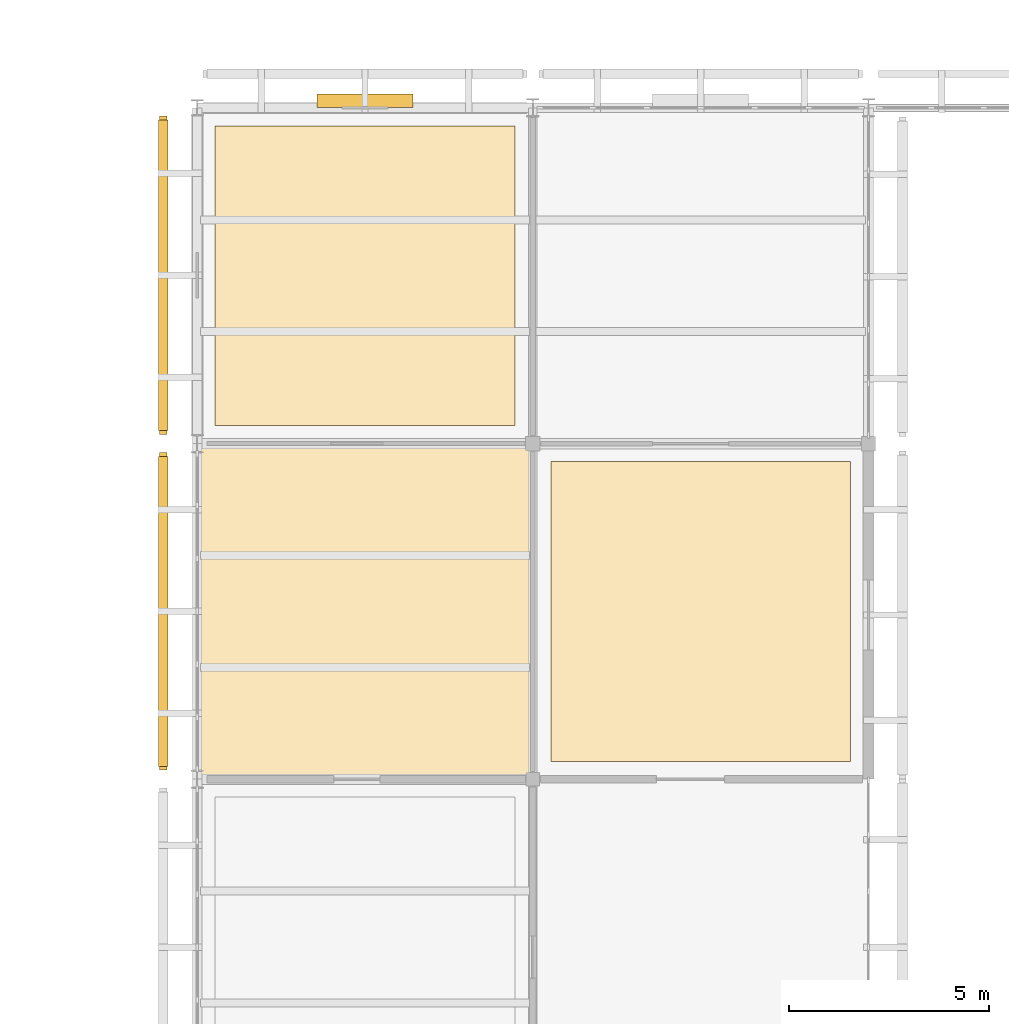
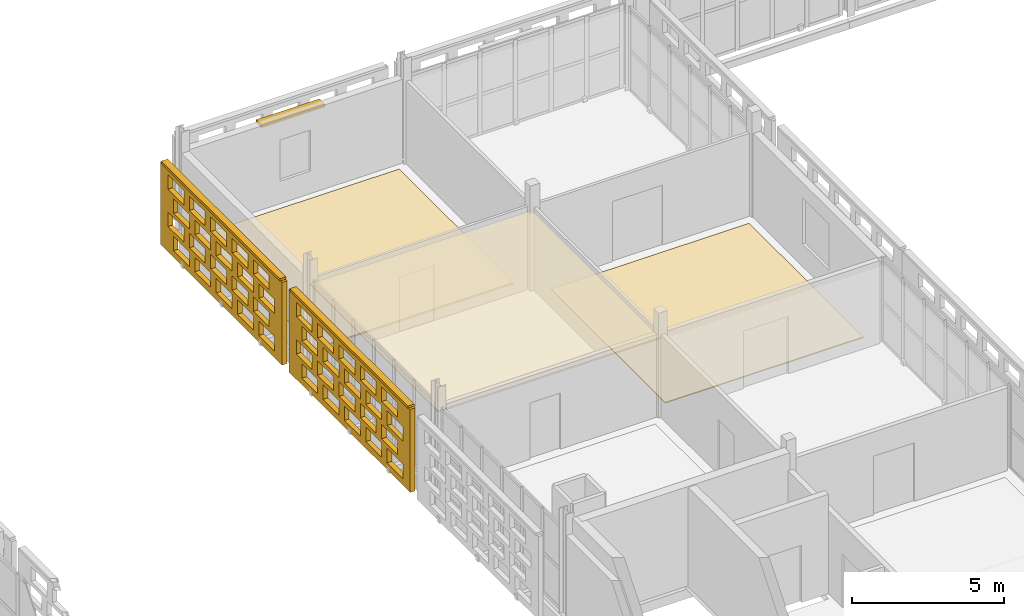
# One storey, part 117 of 140: 5 coverings, 3 shading devices, 40 openings.
"""IFC4 building model written with IfcOpenShell, lengths in metres."""

from ifc_helpers import new_model, si_unit, direction, frame, frame_2d, origin, origin_2d, place, context, subcontext, project, spatial, rectangle, extrude, material, layer, layer_set, type_object, element, save


model = new_model("IFC4")

# Units and contexts
model_context = context("Model", 3, precision=1e-05, world=origin(), true_north=direction((0.0, 1.0)))
body_context = subcontext(model_context, "Body", "Model", "MODEL_VIEW")
ifc_project = project(units=[si_unit("LENGTHUNIT", "METRE"), si_unit("AREAUNIT", "SQUARE_METRE"), si_unit("VOLUMEUNIT", "CUBIC_METRE"), si_unit("PLANEANGLEUNIT", "RADIAN"), si_unit("MASSUNIT", "GRAM", prefix="KILO")], contexts=[model_context])

# Site, building, storey
site_placement = place(None, origin())
site = spatial("IfcSite", under=ifc_project, at=site_placement, CompositionType="ELEMENT")
building_placement = place(site_placement, origin())
building = spatial("IfcBuilding", under=site, at=building_placement, Name="Varnapada Polytechnic", CompositionType="ELEMENT")
storey_placement = place(building_placement, frame((0.0, 0.0, 13.800048828125)))
storey = spatial("IfcBuildingStorey", under=building, at=storey_placement, Name="L03", CompositionType="ELEMENT", Elevation=13.800048828125)

# Coverings
ifc_material_1 = material(Name="Anti-Static Raised Laboratory Flooring")
ifc_layer_1 = layer(ifc_material_1, 0.06005859375)
ifc_layer_set_1 = layer_set([ifc_layer_1], Name="Anti-Static Raised Laboratory Flooring")
covering_type_1 = type_object("IfcCoveringType", Name="Floor Finish FLR-02", PredefinedType="FLOORING", material=ifc_layer_set_1)
covering_1_placement = place(storey_placement, frame((54.60009765625, 121.800048828125, 0.0), z_axis=(0.0, 0.0, 1.0), x_axis=(1.0, 0.0, 0.0)))
element("IfcCovering", 1, at=covering_1_placement, inside=storey, type_object=covering_type_1, Name="L03 floor finish panel (7,15)", PredefinedType="FLOORING", context=body_context, shape_type="SweptSolid", body=[
    extrude(rectangle(XDim=7.5, YDim=7.5, at=origin_2d()), origin(), (0.0, 0.0, 1.0), 0.06005859375),
])
ifc_material_2 = material(Name="Acoustic Rubber Seminar Flooring")
ifc_layer_2 = layer(ifc_material_2, 0.0400390625)
ifc_layer_set_2 = layer_set([ifc_layer_2], Name="Acoustic Rubber Seminar Flooring")
covering_type_2 = type_object("IfcCoveringType", Name="Floor Finish FLR-06", PredefinedType="FLOORING", material=ifc_layer_set_2)
covering_2_placement = place(storey_placement, frame((63.0, 113.39990234375, 0.0), z_axis=(0.0, 0.0, 1.0), x_axis=(1.0, 0.0, 0.0)))
element("IfcCovering", 2, at=covering_2_placement, inside=storey, type_object=covering_type_2, Name="L03 floor finish panel (8,14)", PredefinedType="FLOORING", context=body_context, shape_type="SweptSolid", body=[
    extrude(rectangle(XDim=7.5, YDim=7.5, at=origin_2d()), origin(), (0.0, 0.0, 1.0), 0.0400390625),
])

# Shading device
ifc_material_3 = material(Name="Anodised aluminium", Category="aluminium")
ifc_layer_3 = layer(ifc_material_3, 0.35009765625)
ifc_layer_set_3 = layer_set([ifc_layer_3], Name="Anodised aluminium")
shading_device_type_1 = type_object("IfcShadingDeviceType", Name="Solar Louvre LVR-01", PredefinedType="JALOUSIE", material=ifc_layer_set_3)
shading_device_1_placement = place(storey_placement, frame((54.60009765625, 126.179931640625, 3.159912109375), z_axis=(0.0, 0.0, 1.0), x_axis=(1.0, 0.0, 0.0)))
element("IfcShadingDevice", 3, at=shading_device_1_placement, inside=storey, type_object=shading_device_type_1, Name="L03 aluminium sun louvre 46", PredefinedType="JALOUSIE", context=body_context, shape_type="SweptSolid", body=[
    extrude(rectangle(XDim=2.39990234375, YDim=0.340087890625, at=origin_2d()), origin(), (0.0, 0.0, 1.0), 0.1201171875),
])

# Covering
ifc_material_4 = material(Name="Slatted Merbau Timber Acoustic Ceiling", Category="wood")
ifc_layer_4 = layer(ifc_material_4, 0.054931640625)
ifc_layer_set_4 = layer_set([ifc_layer_4], Name="Slatted Merbau Timber Acoustic Ceiling")
covering_type_3 = type_object("IfcCoveringType", Name="Suspended Ceiling CLG-05", PredefinedType="CEILING", material=ifc_layer_set_4)
covering_3_placement = place(storey_placement, frame((54.60009765625, 113.39990234375, 3.0224609375), z_axis=(0.0, 0.0, 1.0), x_axis=(1.0, 0.0, 0.0)))
element("IfcCovering", 4, at=covering_3_placement, inside=storey, type_object=covering_type_3, Name="L03 suspended acoustic ceiling (7,14)", PredefinedType="CEILING", context=body_context, shape_type="SweptSolid", body=[
    extrude(rectangle(XDim=8.419921875, YDim=8.419921875, at=origin_2d()), origin(), (0.0, 0.0, 1.0), 0.054931640625),
])

# Covering, openings
ifc_material_5 = material(Name="Earth-toned architectural terracotta screen block", Category="masonry")
ifc_layer_5 = layer(ifc_material_5, 0.1201171875)
ifc_layer_set_5 = layer_set([ifc_layer_5], Name="Earth-toned architectural terracotta screen block")
covering_type_4 = type_object("IfcCoveringType", Name="Terracotta Screen Cladding CLD-01", PredefinedType="CLADDING", material=ifc_layer_set_5)
covering_4_placement = place(storey_placement, frame((49.550048828125, 109.425048828125, 0.0), z_axis=(0.0, 0.0, 1.0), x_axis=(0.0, 1.0, 0.0)))
covering_4 = element("IfcCovering", 5, at=covering_4_placement, inside=storey, type_object=covering_type_4, Name="L03 perforated terracotta block screen (45)", PredefinedType="CLADDING", context=body_context, shape_type="SweptSolid", body=[
    extrude(rectangle(XDim=7.949951171875, YDim=0.179931640625, at=frame_2d((3.97509765625, 0.0))), origin(), (0.0, 0.0, 1.0), 3.320068359375),
])
opening_1_placement = place(covering_4_placement, frame((0.47509765625, 0.0, 0.265625)))
element("IfcOpeningElement", 6, at=opening_1_placement, cuts=covering_4, Name="Screen perforation TBS-L03-044.1", PredefinedType="OPENING", context=body_context, shape_type="SweptSolid", body=[
    extrude(rectangle(XDim=1.0400390625, YDim=0.5810546875, at=frame_2d((0.52001953125, 0.29052734375))), frame((0.0, 0.099853515625, 0.0), z_axis=(0.0, -1.0, 0.0), x_axis=(1.0, 0.0, 0.0)), (0.0, 0.0, 1.0), 0.199951171875),
])
opening_2_placement = place(covering_4_placement, frame((1.875, 0.0, 0.265625)))
element("IfcOpeningElement", 7, at=opening_2_placement, cuts=covering_4, Name="Screen perforation TBS-L03-044.2", PredefinedType="OPENING", context=body_context, shape_type="SweptSolid", body=[
    extrude(rectangle(XDim=1.0400390625, YDim=0.5810546875, at=frame_2d((0.52001953125, 0.29052734375))), frame((0.0, 0.099853515625, 0.0), z_axis=(0.0, -1.0, 0.0), x_axis=(1.0, 0.0, 0.0)), (0.0, 0.0, 1.0), 0.199951171875),
])
opening_3_placement = place(covering_4_placement, frame((3.27490234375, 0.0, 0.265625)))
element("IfcOpeningElement", 8, at=opening_3_placement, cuts=covering_4, Name="Screen perforation TBS-L03-044.3", PredefinedType="OPENING", context=body_context, shape_type="SweptSolid", body=[
    extrude(rectangle(XDim=1.0400390625, YDim=0.5810546875, at=frame_2d((0.52001953125, 0.29052734375))), frame((0.0, 0.099853515625, 0.0), z_axis=(0.0, -1.0, 0.0), x_axis=(1.0, 0.0, 0.0)), (0.0, 0.0, 1.0), 0.199951171875),
])
opening_4_placement = place(covering_4_placement, frame((4.675048828125, 0.0, 0.265625)))
element("IfcOpeningElement", 9, at=opening_4_placement, cuts=covering_4, Name="Screen perforation TBS-L03-044.4", PredefinedType="OPENING", context=body_context, shape_type="SweptSolid", body=[
    extrude(rectangle(XDim=1.0400390625, YDim=0.5810546875, at=frame_2d((0.52001953125, 0.29052734375))), frame((0.0, 0.099853515625, 0.0), z_axis=(0.0, -1.0, 0.0), x_axis=(1.0, 0.0, 0.0)), (0.0, 0.0, 1.0), 0.199951171875),
])
opening_5_placement = place(covering_4_placement, frame((6.074951171875, 0.0, 0.265625)))
element("IfcOpeningElement", 10, at=opening_5_placement, cuts=covering_4, Name="Screen perforation TBS-L03-044.5", PredefinedType="OPENING", context=body_context, shape_type="SweptSolid", body=[
    extrude(rectangle(XDim=1.0400390625, YDim=0.5810546875, at=frame_2d((0.52001953125, 0.29052734375))), frame((0.0, 0.099853515625, 0.0), z_axis=(0.0, -1.0, 0.0), x_axis=(1.0, 0.0, 0.0)), (0.0, 0.0, 1.0), 0.199951171875),
])
opening_6_placement = place(covering_4_placement, frame((0.8349609375, 0.0, 1.0126953125)))
element("IfcOpeningElement", 11, at=opening_6_placement, cuts=covering_4, Name="Screen perforation TBS-L03-044.6", PredefinedType="OPENING", context=body_context, shape_type="SweptSolid", body=[
    extrude(rectangle(XDim=1.0400390625, YDim=0.5810546875, at=frame_2d((0.52001953125, 0.29052734375))), frame((0.0, 0.099853515625, 0.0), z_axis=(0.0, -1.0, 0.0), x_axis=(1.0, 0.0, 0.0)), (0.0, 0.0, 1.0), 0.199951171875),
])
opening_7_placement = place(covering_4_placement, frame((2.235107421875, 0.0, 1.0126953125)))
element("IfcOpeningElement", 12, at=opening_7_placement, cuts=covering_4, Name="Screen perforation TBS-L03-044.7", PredefinedType="OPENING", context=body_context, shape_type="SweptSolid", body=[
    extrude(rectangle(XDim=1.0400390625, YDim=0.5810546875, at=frame_2d((0.52001953125, 0.29052734375))), frame((0.0, 0.099853515625, 0.0), z_axis=(0.0, -1.0, 0.0), x_axis=(1.0, 0.0, 0.0)), (0.0, 0.0, 1.0), 0.199951171875),
])
opening_8_placement = place(covering_4_placement, frame((3.635009765625, 0.0, 1.0126953125)))
element("IfcOpeningElement", 13, at=opening_8_placement, cuts=covering_4, Name="Screen perforation TBS-L03-044.8", PredefinedType="OPENING", context=body_context, shape_type="SweptSolid", body=[
    extrude(rectangle(XDim=1.0400390625, YDim=0.5810546875, at=frame_2d((0.52001953125, 0.29052734375))), frame((0.0, 0.099853515625, 0.0), z_axis=(0.0, -1.0, 0.0), x_axis=(1.0, 0.0, 0.0)), (0.0, 0.0, 1.0), 0.199951171875),
])
opening_9_placement = place(covering_4_placement, frame((5.034912109375, 0.0, 1.0126953125)))
element("IfcOpeningElement", 14, at=opening_9_placement, cuts=covering_4, Name="Screen perforation TBS-L03-044.9", PredefinedType="OPENING", context=body_context, shape_type="SweptSolid", body=[
    extrude(rectangle(XDim=1.0400390625, YDim=0.5810546875, at=frame_2d((0.52001953125, 0.29052734375))), frame((0.0, 0.099853515625, 0.0), z_axis=(0.0, -1.0, 0.0), x_axis=(1.0, 0.0, 0.0)), (0.0, 0.0, 1.0), 0.199951171875),
])
opening_10_placement = place(covering_4_placement, frame((6.43505859375, 0.0, 1.0126953125)))
element("IfcOpeningElement", 15, at=opening_10_placement, cuts=covering_4, Name="Screen perforation TBS-L03-044.10", PredefinedType="OPENING", context=body_context, shape_type="SweptSolid", body=[
    extrude(rectangle(XDim=1.0400390625, YDim=0.5810546875, at=frame_2d((0.52001953125, 0.29052734375))), frame((0.0, 0.099853515625, 0.0), z_axis=(0.0, -1.0, 0.0), x_axis=(1.0, 0.0, 0.0)), (0.0, 0.0, 1.0), 0.199951171875),
])
opening_11_placement = place(covering_4_placement, frame((0.47509765625, 0.0, 1.759521484375)))
element("IfcOpeningElement", 16, at=opening_11_placement, cuts=covering_4, Name="Screen perforation TBS-L03-044.11", PredefinedType="OPENING", context=body_context, shape_type="SweptSolid", body=[
    extrude(rectangle(XDim=1.0400390625, YDim=0.5810546875, at=frame_2d((0.52001953125, 0.29052734375))), frame((0.0, 0.099853515625, 0.0), z_axis=(0.0, -1.0, 0.0), x_axis=(1.0, 0.0, 0.0)), (0.0, 0.0, 1.0), 0.199951171875),
])
opening_12_placement = place(covering_4_placement, frame((1.875, 0.0, 1.759521484375)))
element("IfcOpeningElement", 17, at=opening_12_placement, cuts=covering_4, Name="Screen perforation TBS-L03-044.12", PredefinedType="OPENING", context=body_context, shape_type="SweptSolid", body=[
    extrude(rectangle(XDim=1.0400390625, YDim=0.5810546875, at=frame_2d((0.52001953125, 0.29052734375))), frame((0.0, 0.099853515625, 0.0), z_axis=(0.0, -1.0, 0.0), x_axis=(1.0, 0.0, 0.0)), (0.0, 0.0, 1.0), 0.199951171875),
])
opening_13_placement = place(covering_4_placement, frame((3.27490234375, 0.0, 1.759521484375)))
element("IfcOpeningElement", 18, at=opening_13_placement, cuts=covering_4, Name="Screen perforation TBS-L03-044.13", PredefinedType="OPENING", context=body_context, shape_type="SweptSolid", body=[
    extrude(rectangle(XDim=1.0400390625, YDim=0.5810546875, at=frame_2d((0.52001953125, 0.29052734375))), frame((0.0, 0.099853515625, 0.0), z_axis=(0.0, -1.0, 0.0), x_axis=(1.0, 0.0, 0.0)), (0.0, 0.0, 1.0), 0.199951171875),
])
opening_14_placement = place(covering_4_placement, frame((4.675048828125, 0.0, 1.759521484375)))
element("IfcOpeningElement", 19, at=opening_14_placement, cuts=covering_4, Name="Screen perforation TBS-L03-044.14", PredefinedType="OPENING", context=body_context, shape_type="SweptSolid", body=[
    extrude(rectangle(XDim=1.0400390625, YDim=0.5810546875, at=frame_2d((0.52001953125, 0.29052734375))), frame((0.0, 0.099853515625, 0.0), z_axis=(0.0, -1.0, 0.0), x_axis=(1.0, 0.0, 0.0)), (0.0, 0.0, 1.0), 0.199951171875),
])
opening_15_placement = place(covering_4_placement, frame((6.074951171875, 0.0, 1.759521484375)))
element("IfcOpeningElement", 20, at=opening_15_placement, cuts=covering_4, Name="Screen perforation TBS-L03-044.15", PredefinedType="OPENING", context=body_context, shape_type="SweptSolid", body=[
    extrude(rectangle(XDim=1.0400390625, YDim=0.5810546875, at=frame_2d((0.52001953125, 0.29052734375))), frame((0.0, 0.099853515625, 0.0), z_axis=(0.0, -1.0, 0.0), x_axis=(1.0, 0.0, 0.0)), (0.0, 0.0, 1.0), 0.199951171875),
])
opening_16_placement = place(covering_4_placement, frame((0.8349609375, 0.0, 2.506591796875)))
element("IfcOpeningElement", 21, at=opening_16_placement, cuts=covering_4, Name="Screen perforation TBS-L03-044.16", PredefinedType="OPENING", context=body_context, shape_type="SweptSolid", body=[
    extrude(rectangle(XDim=1.0400390625, YDim=0.5810546875, at=frame_2d((0.52001953125, 0.29052734375))), frame((0.0, 0.099853515625, 0.0), z_axis=(0.0, -1.0, 0.0), x_axis=(1.0, 0.0, 0.0)), (0.0, 0.0, 1.0), 0.199951171875),
])
opening_17_placement = place(covering_4_placement, frame((2.235107421875, 0.0, 2.506591796875)))
element("IfcOpeningElement", 22, at=opening_17_placement, cuts=covering_4, Name="Screen perforation TBS-L03-044.17", PredefinedType="OPENING", context=body_context, shape_type="SweptSolid", body=[
    extrude(rectangle(XDim=1.0400390625, YDim=0.5810546875, at=frame_2d((0.52001953125, 0.29052734375))), frame((0.0, 0.099853515625, 0.0), z_axis=(0.0, -1.0, 0.0), x_axis=(1.0, 0.0, 0.0)), (0.0, 0.0, 1.0), 0.199951171875),
])
opening_18_placement = place(covering_4_placement, frame((3.635009765625, 0.0, 2.506591796875)))
element("IfcOpeningElement", 23, at=opening_18_placement, cuts=covering_4, Name="Screen perforation TBS-L03-044.18", PredefinedType="OPENING", context=body_context, shape_type="SweptSolid", body=[
    extrude(rectangle(XDim=1.0400390625, YDim=0.5810546875, at=frame_2d((0.52001953125, 0.29052734375))), frame((0.0, 0.099853515625, 0.0), z_axis=(0.0, -1.0, 0.0), x_axis=(1.0, 0.0, 0.0)), (0.0, 0.0, 1.0), 0.199951171875),
])
opening_19_placement = place(covering_4_placement, frame((5.034912109375, 0.0, 2.506591796875)))
element("IfcOpeningElement", 24, at=opening_19_placement, cuts=covering_4, Name="Screen perforation TBS-L03-044.19", PredefinedType="OPENING", context=body_context, shape_type="SweptSolid", body=[
    extrude(rectangle(XDim=1.0400390625, YDim=0.5810546875, at=frame_2d((0.52001953125, 0.29052734375))), frame((0.0, 0.099853515625, 0.0), z_axis=(0.0, -1.0, 0.0), x_axis=(1.0, 0.0, 0.0)), (0.0, 0.0, 1.0), 0.199951171875),
])
opening_20_placement = place(covering_4_placement, frame((6.43505859375, 0.0, 2.506591796875)))
element("IfcOpeningElement", 25, at=opening_20_placement, cuts=covering_4, Name="Screen perforation TBS-L03-044.20", PredefinedType="OPENING", context=body_context, shape_type="SweptSolid", body=[
    extrude(rectangle(XDim=1.0400390625, YDim=0.5810546875, at=frame_2d((0.52001953125, 0.29052734375))), frame((0.0, 0.099853515625, 0.0), z_axis=(0.0, -1.0, 0.0), x_axis=(1.0, 0.0, 0.0)), (0.0, 0.0, 1.0), 0.199951171875),
])

covering_5_placement = place(storey_placement, frame((49.550048828125, 117.824951171875, 0.0), z_axis=(0.0, 0.0, 1.0), x_axis=(0.0, 1.0, 0.0)))
covering_5 = element("IfcCovering", 26, at=covering_5_placement, inside=storey, type_object=covering_type_4, Name="L03 perforated terracotta block screen (47)", PredefinedType="CLADDING", context=body_context, shape_type="SweptSolid", body=[
    extrude(rectangle(XDim=7.97509765625, YDim=0.179931640625, at=frame_2d((3.987548828125, 0.0))), origin(), (0.0, 0.0, 1.0), 3.320068359375),
])
opening_21_placement = place(covering_5_placement, frame((0.487548828125, 0.0, 0.265625)))
element("IfcOpeningElement", 27, at=opening_21_placement, cuts=covering_5, Name="Screen perforation TBS-L03-046.1", PredefinedType="OPENING", context=body_context, shape_type="SweptSolid", body=[
    extrude(rectangle(XDim=1.0400390625, YDim=0.5810546875, at=frame_2d((0.52001953125, 0.29052734375))), frame((0.0, 0.099853515625, 0.0), z_axis=(0.0, -1.0, 0.0), x_axis=(1.0, 0.0, 0.0)), (0.0, 0.0, 1.0), 0.199951171875),
])
opening_22_placement = place(covering_5_placement, frame((1.887451171875, 0.0, 0.265625)))
element("IfcOpeningElement", 28, at=opening_22_placement, cuts=covering_5, Name="Screen perforation TBS-L03-046.2", PredefinedType="OPENING", context=body_context, shape_type="SweptSolid", body=[
    extrude(rectangle(XDim=1.0400390625, YDim=0.5810546875, at=frame_2d((0.52001953125, 0.29052734375))), frame((0.0, 0.099853515625, 0.0), z_axis=(0.0, -1.0, 0.0), x_axis=(1.0, 0.0, 0.0)), (0.0, 0.0, 1.0), 0.199951171875),
])
opening_23_placement = place(covering_5_placement, frame((3.28759765625, 0.0, 0.265625)))
element("IfcOpeningElement", 29, at=opening_23_placement, cuts=covering_5, Name="Screen perforation TBS-L03-046.3", PredefinedType="OPENING", context=body_context, shape_type="SweptSolid", body=[
    extrude(rectangle(XDim=1.0400390625, YDim=0.5810546875, at=frame_2d((0.52001953125, 0.29052734375))), frame((0.0, 0.099853515625, 0.0), z_axis=(0.0, -1.0, 0.0), x_axis=(1.0, 0.0, 0.0)), (0.0, 0.0, 1.0), 0.199951171875),
])
opening_24_placement = place(covering_5_placement, frame((4.6875, 0.0, 0.265625)))
element("IfcOpeningElement", 30, at=opening_24_placement, cuts=covering_5, Name="Screen perforation TBS-L03-046.4", PredefinedType="OPENING", context=body_context, shape_type="SweptSolid", body=[
    extrude(rectangle(XDim=1.0400390625, YDim=0.5810546875, at=frame_2d((0.52001953125, 0.29052734375))), frame((0.0, 0.099853515625, 0.0), z_axis=(0.0, -1.0, 0.0), x_axis=(1.0, 0.0, 0.0)), (0.0, 0.0, 1.0), 0.199951171875),
])
opening_25_placement = place(covering_5_placement, frame((6.08740234375, 0.0, 0.265625)))
element("IfcOpeningElement", 31, at=opening_25_placement, cuts=covering_5, Name="Screen perforation TBS-L03-046.5", PredefinedType="OPENING", context=body_context, shape_type="SweptSolid", body=[
    extrude(rectangle(XDim=1.0400390625, YDim=0.5810546875, at=frame_2d((0.52001953125, 0.29052734375))), frame((0.0, 0.099853515625, 0.0), z_axis=(0.0, -1.0, 0.0), x_axis=(1.0, 0.0, 0.0)), (0.0, 0.0, 1.0), 0.199951171875),
])
opening_26_placement = place(covering_5_placement, frame((0.847412109375, 0.0, 1.0126953125)))
element("IfcOpeningElement", 32, at=opening_26_placement, cuts=covering_5, Name="Screen perforation TBS-L03-046.6", PredefinedType="OPENING", context=body_context, shape_type="SweptSolid", body=[
    extrude(rectangle(XDim=1.0400390625, YDim=0.5810546875, at=frame_2d((0.52001953125, 0.29052734375))), frame((0.0, 0.099853515625, 0.0), z_axis=(0.0, -1.0, 0.0), x_axis=(1.0, 0.0, 0.0)), (0.0, 0.0, 1.0), 0.199951171875),
])
opening_27_placement = place(covering_5_placement, frame((2.24755859375, 0.0, 1.0126953125)))
element("IfcOpeningElement", 33, at=opening_27_placement, cuts=covering_5, Name="Screen perforation TBS-L03-046.7", PredefinedType="OPENING", context=body_context, shape_type="SweptSolid", body=[
    extrude(rectangle(XDim=1.0400390625, YDim=0.5810546875, at=frame_2d((0.52001953125, 0.29052734375))), frame((0.0, 0.099853515625, 0.0), z_axis=(0.0, -1.0, 0.0), x_axis=(1.0, 0.0, 0.0)), (0.0, 0.0, 1.0), 0.199951171875),
])
opening_28_placement = place(covering_5_placement, frame((3.6474609375, 0.0, 1.0126953125)))
element("IfcOpeningElement", 34, at=opening_28_placement, cuts=covering_5, Name="Screen perforation TBS-L03-046.8", PredefinedType="OPENING", context=body_context, shape_type="SweptSolid", body=[
    extrude(rectangle(XDim=1.0400390625, YDim=0.5810546875, at=frame_2d((0.52001953125, 0.29052734375))), frame((0.0, 0.099853515625, 0.0), z_axis=(0.0, -1.0, 0.0), x_axis=(1.0, 0.0, 0.0)), (0.0, 0.0, 1.0), 0.199951171875),
])
opening_29_placement = place(covering_5_placement, frame((5.047607421875, 0.0, 1.0126953125)))
element("IfcOpeningElement", 35, at=opening_29_placement, cuts=covering_5, Name="Screen perforation TBS-L03-046.9", PredefinedType="OPENING", context=body_context, shape_type="SweptSolid", body=[
    extrude(rectangle(XDim=1.0400390625, YDim=0.5810546875, at=frame_2d((0.52001953125, 0.29052734375))), frame((0.0, 0.099853515625, 0.0), z_axis=(0.0, -1.0, 0.0), x_axis=(1.0, 0.0, 0.0)), (0.0, 0.0, 1.0), 0.199951171875),
])
opening_30_placement = place(covering_5_placement, frame((6.447509765625, 0.0, 1.0126953125)))
element("IfcOpeningElement", 36, at=opening_30_placement, cuts=covering_5, Name="Screen perforation TBS-L03-046.10", PredefinedType="OPENING", context=body_context, shape_type="SweptSolid", body=[
    extrude(rectangle(XDim=1.0400390625, YDim=0.5810546875, at=frame_2d((0.52001953125, 0.29052734375))), frame((0.0, 0.099853515625, 0.0), z_axis=(0.0, -1.0, 0.0), x_axis=(1.0, 0.0, 0.0)), (0.0, 0.0, 1.0), 0.199951171875),
])
opening_31_placement = place(covering_5_placement, frame((0.487548828125, 0.0, 1.759521484375)))
element("IfcOpeningElement", 37, at=opening_31_placement, cuts=covering_5, Name="Screen perforation TBS-L03-046.11", PredefinedType="OPENING", context=body_context, shape_type="SweptSolid", body=[
    extrude(rectangle(XDim=1.0400390625, YDim=0.5810546875, at=frame_2d((0.52001953125, 0.29052734375))), frame((0.0, 0.099853515625, 0.0), z_axis=(0.0, -1.0, 0.0), x_axis=(1.0, 0.0, 0.0)), (0.0, 0.0, 1.0), 0.199951171875),
])
opening_32_placement = place(covering_5_placement, frame((1.887451171875, 0.0, 1.759521484375)))
element("IfcOpeningElement", 38, at=opening_32_placement, cuts=covering_5, Name="Screen perforation TBS-L03-046.12", PredefinedType="OPENING", context=body_context, shape_type="SweptSolid", body=[
    extrude(rectangle(XDim=1.0400390625, YDim=0.5810546875, at=frame_2d((0.52001953125, 0.29052734375))), frame((0.0, 0.099853515625, 0.0), z_axis=(0.0, -1.0, 0.0), x_axis=(1.0, 0.0, 0.0)), (0.0, 0.0, 1.0), 0.199951171875),
])
opening_33_placement = place(covering_5_placement, frame((3.28759765625, 0.0, 1.759521484375)))
element("IfcOpeningElement", 39, at=opening_33_placement, cuts=covering_5, Name="Screen perforation TBS-L03-046.13", PredefinedType="OPENING", context=body_context, shape_type="SweptSolid", body=[
    extrude(rectangle(XDim=1.0400390625, YDim=0.5810546875, at=frame_2d((0.52001953125, 0.29052734375))), frame((0.0, 0.099853515625, 0.0), z_axis=(0.0, -1.0, 0.0), x_axis=(1.0, 0.0, 0.0)), (0.0, 0.0, 1.0), 0.199951171875),
])
opening_34_placement = place(covering_5_placement, frame((4.6875, 0.0, 1.759521484375)))
element("IfcOpeningElement", 40, at=opening_34_placement, cuts=covering_5, Name="Screen perforation TBS-L03-046.14", PredefinedType="OPENING", context=body_context, shape_type="SweptSolid", body=[
    extrude(rectangle(XDim=1.0400390625, YDim=0.5810546875, at=frame_2d((0.52001953125, 0.29052734375))), frame((0.0, 0.099853515625, 0.0), z_axis=(0.0, -1.0, 0.0), x_axis=(1.0, 0.0, 0.0)), (0.0, 0.0, 1.0), 0.199951171875),
])
opening_35_placement = place(covering_5_placement, frame((6.08740234375, 0.0, 1.759521484375)))
element("IfcOpeningElement", 41, at=opening_35_placement, cuts=covering_5, Name="Screen perforation TBS-L03-046.15", PredefinedType="OPENING", context=body_context, shape_type="SweptSolid", body=[
    extrude(rectangle(XDim=1.0400390625, YDim=0.5810546875, at=frame_2d((0.52001953125, 0.29052734375))), frame((0.0, 0.099853515625, 0.0), z_axis=(0.0, -1.0, 0.0), x_axis=(1.0, 0.0, 0.0)), (0.0, 0.0, 1.0), 0.199951171875),
])
opening_36_placement = place(covering_5_placement, frame((0.847412109375, 0.0, 2.506591796875)))
element("IfcOpeningElement", 42, at=opening_36_placement, cuts=covering_5, Name="Screen perforation TBS-L03-046.16", PredefinedType="OPENING", context=body_context, shape_type="SweptSolid", body=[
    extrude(rectangle(XDim=1.0400390625, YDim=0.5810546875, at=frame_2d((0.52001953125, 0.29052734375))), frame((0.0, 0.099853515625, 0.0), z_axis=(0.0, -1.0, 0.0), x_axis=(1.0, 0.0, 0.0)), (0.0, 0.0, 1.0), 0.199951171875),
])
opening_37_placement = place(covering_5_placement, frame((2.24755859375, 0.0, 2.506591796875)))
element("IfcOpeningElement", 43, at=opening_37_placement, cuts=covering_5, Name="Screen perforation TBS-L03-046.17", PredefinedType="OPENING", context=body_context, shape_type="SweptSolid", body=[
    extrude(rectangle(XDim=1.0400390625, YDim=0.5810546875, at=frame_2d((0.52001953125, 0.29052734375))), frame((0.0, 0.099853515625, 0.0), z_axis=(0.0, -1.0, 0.0), x_axis=(1.0, 0.0, 0.0)), (0.0, 0.0, 1.0), 0.199951171875),
])
opening_38_placement = place(covering_5_placement, frame((3.6474609375, 0.0, 2.506591796875)))
element("IfcOpeningElement", 44, at=opening_38_placement, cuts=covering_5, Name="Screen perforation TBS-L03-046.18", PredefinedType="OPENING", context=body_context, shape_type="SweptSolid", body=[
    extrude(rectangle(XDim=1.0400390625, YDim=0.5810546875, at=frame_2d((0.52001953125, 0.29052734375))), frame((0.0, 0.099853515625, 0.0), z_axis=(0.0, -1.0, 0.0), x_axis=(1.0, 0.0, 0.0)), (0.0, 0.0, 1.0), 0.199951171875),
])
opening_39_placement = place(covering_5_placement, frame((5.047607421875, 0.0, 2.506591796875)))
element("IfcOpeningElement", 45, at=opening_39_placement, cuts=covering_5, Name="Screen perforation TBS-L03-046.19", PredefinedType="OPENING", context=body_context, shape_type="SweptSolid", body=[
    extrude(rectangle(XDim=1.0400390625, YDim=0.5810546875, at=frame_2d((0.52001953125, 0.29052734375))), frame((0.0, 0.099853515625, 0.0), z_axis=(0.0, -1.0, 0.0), x_axis=(1.0, 0.0, 0.0)), (0.0, 0.0, 1.0), 0.199951171875),
])
opening_40_placement = place(covering_5_placement, frame((6.447509765625, 0.0, 2.506591796875)))
element("IfcOpeningElement", 46, at=opening_40_placement, cuts=covering_5, Name="Screen perforation TBS-L03-046.20", PredefinedType="OPENING", context=body_context, shape_type="SweptSolid", body=[
    extrude(rectangle(XDim=1.0400390625, YDim=0.5810546875, at=frame_2d((0.52001953125, 0.29052734375))), frame((0.0, 0.099853515625, 0.0), z_axis=(0.0, -1.0, 0.0), x_axis=(1.0, 0.0, 0.0)), (0.0, 0.0, 1.0), 0.199951171875),
])

# Shading devices
ifc_layer_6 = layer(ifc_material_5, 0.179931640625)
ifc_layer_set_6 = layer_set([ifc_layer_6], Name="Earth-toned architectural terracotta screen block")
shading_device_type_2 = type_object("IfcShadingDeviceType", Name="Terracotta Screen SCR-01", PredefinedType="USERDEFINED", material=ifc_layer_set_6)
shading_device_2_placement = place(storey_placement, frame((49.550048828125, 113.39990234375, 3.309814453125), z_axis=(0.0, 0.0, 1.0), x_axis=(0.0, 1.0, 0.0)))
element("IfcShadingDevice", 47, at=shading_device_2_placement, inside=storey, type_object=shading_device_type_2, Name="L03 perforated terracotta screen hood 375", ObjectType="SCREEN", PredefinedType="USERDEFINED", context=body_context, shape_type="SweptSolid", body=[
    extrude(rectangle(XDim=7.75, YDim=0.239990234375, at=origin_2d()), origin(), (0.0, 0.0, 1.0), 0.10009765625),
])
shading_device_3_placement = place(storey_placement, frame((49.550048828125, 121.8125, 3.309814453125), z_axis=(0.0, 0.0, 1.0), x_axis=(0.0, 1.0, 0.0)))
element("IfcShadingDevice", 48, at=shading_device_3_placement, inside=storey, type_object=shading_device_type_2, Name="L03 perforated terracotta screen hood 377", ObjectType="SCREEN", PredefinedType="USERDEFINED", context=body_context, shape_type="SweptSolid", body=[
    extrude(rectangle(XDim=7.77490234375, YDim=0.239990234375, at=origin_2d()), origin(), (0.0, 0.0, 1.0), 0.10009765625),
])

save(model, "model.ifc")
